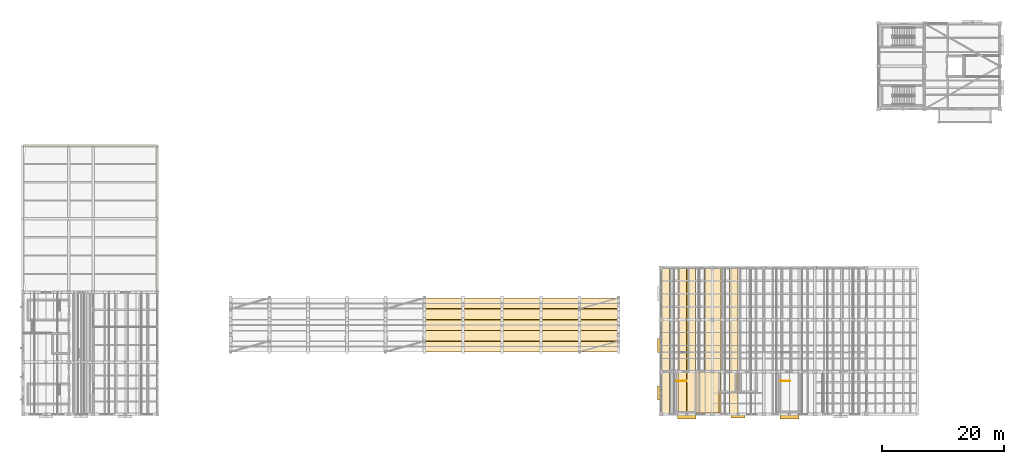
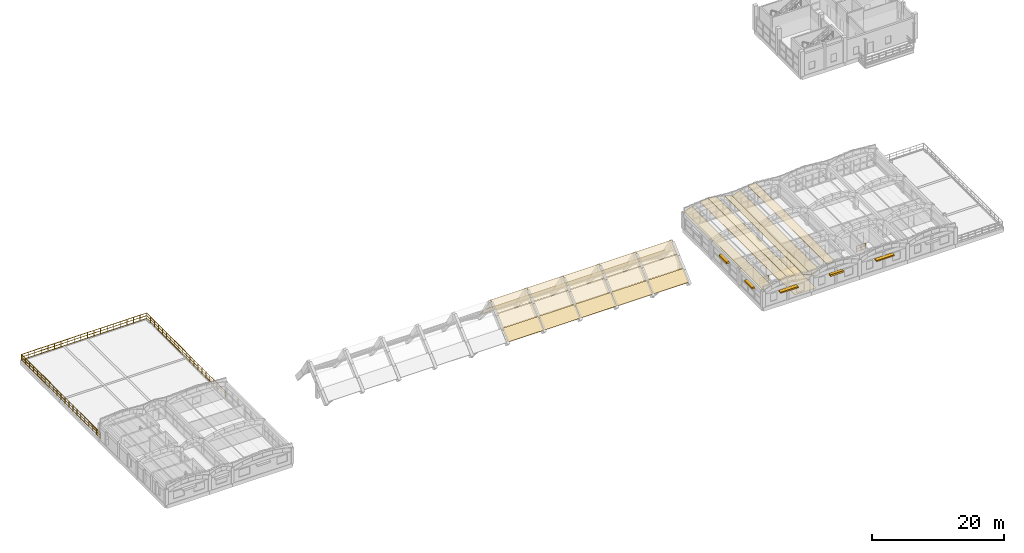
# One storey, part 38 of 40: 33 coverings, 5 shading devices, 3 railings.
"""IFC4 building model written with IfcOpenShell, lengths in metres."""

from ifc_helpers import new_model, si_unit, direction, frame, origin, origin_2d, place, context, subcontext, project, spatial, polyline, rectangle, circle, outline, extrude, material, layer, layer_set, type_object, element, save


model = new_model("IFC4")

# Units and contexts
model_context = context("Model", 3, precision=1e-05, world=origin(), true_north=direction((0.0, 1.0)))
body_context = subcontext(model_context, "Body", "Model", "MODEL_VIEW")
ifc_project = project(units=[si_unit("LENGTHUNIT", "METRE"), si_unit("AREAUNIT", "SQUARE_METRE"), si_unit("VOLUMEUNIT", "CUBIC_METRE"), si_unit("PLANEANGLEUNIT", "RADIAN"), si_unit("MASSUNIT", "GRAM", prefix="KILO")], contexts=[model_context])

# Site, building, storey
site_placement = place(None, origin())
site = spatial("IfcSite", under=ifc_project, at=site_placement, CompositionType="ELEMENT")
building_placement = place(site_placement, origin())
building = spatial("IfcBuilding", under=site, at=building_placement, Name="Trellovar Central Fire Station", CompositionType="ELEMENT")
storey_placement = place(building_placement, frame((0.0, 0.0, 12.75)))
storey = spatial("IfcBuildingStorey", under=building, at=storey_placement, Name="L04", CompositionType="ELEMENT", Elevation=12.75)

# Coverings
ifc_material_1 = material(Name="Perforated acoustic mineral fiber ceiling tile", Category="mineral")
ifc_layer_1 = layer(ifc_material_1, 0.02490234375)
ifc_layer_set_1 = layer_set([ifc_layer_1], Name="Perforated acoustic mineral fiber ceiling tile")
covering_type_1 = type_object("IfcCoveringType", Name="COV-CLG1", PredefinedType="CEILING", material=ifc_layer_set_1)
covering_1_placement = place(storey_placement, frame((0.0, 0.0, 2.3798828125)))
element("IfcCovering", 1, at=covering_1_placement, inside=storey, type_object=covering_type_1, Name="Arson Investigation Evidence Laboratory suspended ceiling", PredefinedType="CEILING", context=body_context, shape_type="SweptSolid", body=[
    extrude(outline(polyline([(114.949951171875, 15.89990234375), (114.949951171875, 9.25), (111.25, 9.25), (111.25, 15.89990234375), (114.949951171875, 15.89990234375)])), origin(), (0.0, 0.0, 1.0), 0.025146484375),
])
ifc_material_2 = material(Name="Vitrified Catalan ceramic floor tile", Category="masonry")
ifc_layer_2 = layer(ifc_material_2, 0.01806640625)
ifc_layer_set_2 = layer_set([ifc_layer_2], Name="Vitrified Catalan ceramic floor tile")
covering_type_2 = type_object("IfcCoveringType", Name="COV-FLR2", PredefinedType="FLOORING", material=ifc_layer_set_2)
covering_2_placement = place(storey_placement, origin())
element("IfcCovering", 2, at=covering_2_placement, inside=storey, type_object=covering_type_2, Name="Arson Investigation Evidence Laboratory floor finish", PredefinedType="FLOORING", context=body_context, shape_type="SweptSolid", body=[
    extrude(outline(polyline([(114.949951171875, 15.89990234375), (114.949951171875, 9.25), (111.25, 9.25), (111.25, 15.89990234375), (114.949951171875, 15.89990234375)])), origin(), (0.0, 0.0, 1.0), 0.01806640625),
])
ifc_material_3 = material(Name="Glazed ceramic trencadis roofing", Category="masonry")
ifc_layer_3 = layer(ifc_material_3, 0.06005859375)
ifc_layer_set_3 = layer_set([ifc_layer_3], Name="Glazed ceramic trencadis roofing")
covering_type_3 = type_object("IfcCoveringType", Name="COV-RF1", PredefinedType="ROOFING", material=ifc_layer_set_3)
covering_3_placement = place(storey_placement, frame((105.501953125, 9.0, 3.060791015625), z_axis=(-0.368797956889, 0.0, 0.929509584133), x_axis=(0.929509584133, 0.0, 0.368797956889)))
element("IfcCovering", 3, at=covering_3_placement, inside=storey, type_object=covering_type_3, Name="V5 glazed trencadis vault covering 01-01", PredefinedType="ROOFING", context=body_context, shape_type="SweptSolid", body=[
    extrude(outline(polyline([(0.0, 0.0), (1.4782240667069908, 0.0), (1.4782240667069908, 24.0), (0.0, 24.0), (0.0, 0.0)])), origin(), (0.0, 0.0, -1.0), 0.06005859375),
])
covering_4_placement = place(storey_placement, frame((108.302001953125, 9.0, 3.94921875), z_axis=(-0.079063877419, 0.0, 0.996869551791), x_axis=(0.996869551791, 0.0, 0.079063877419)))
element("IfcCovering", 4, at=covering_4_placement, inside=storey, type_object=covering_type_3, Name="V5 glazed trencadis vault covering 01-03", PredefinedType="ROOFING", context=body_context, shape_type="SweptSolid", body=[
    extrude(outline(polyline([(0.0, 0.0), (1.3957266719357477, 0.0), (1.3957266719357477, 23.999999999999996), (0.0, 23.999999999999996), (0.0, 0.0)])), origin(), (0.0, 0.0, -1.0), 0.06005859375),
])
covering_5_placement = place(storey_placement, frame((109.706787109375, 9.0, 4.0595703125), z_axis=(0.079077666382, 0.0, 0.996868458062), x_axis=(0.996868458062, 0.0, -0.079077666382)))
element("IfcCovering", 5, at=covering_5_placement, inside=storey, type_object=covering_type_3, Name="V5 glazed trencadis vault covering 01-04", PredefinedType="ROOFING", context=body_context, shape_type="SweptSolid", body=[
    extrude(outline(polyline([(0.0, 0.0), (1.3954832957138301, 0.0), (1.3954832957138301, 23.999999999999996), (0.0, 23.999999999999996), (0.0, 0.0)])), origin(), (0.0, 0.0, -1.0), 0.06005859375),
])
for number, where, z_axis, x_axis, name in (
    (6, (112.524169921875, 9.0, 3.60595703125), (0.368854581285, 0.0, 0.929487115492), (0.929487115492, 0.0, -0.368854581285), "V5 glazed trencadis vault covering 01-06"),
    (7, (113.902099609375, 9.0, 3.060791015625), (-0.368854581285, 0.0, 0.929487115492), (0.929487115492, 0.0, 0.368854581285), "V5 glazed trencadis vault covering 02-01"),
):
    element("IfcCovering", number, at=place(storey_placement, frame(where, z_axis=z_axis, x_axis=x_axis)), inside=storey, type_object=covering_type_3, Name=name, PredefinedType="ROOFING", context=body_context, shape_type="SweptSolid", body=[
        extrude(outline(polyline([(0.0, 0.0), (1.477997138398721, 0.0), (1.477997138398721, 24.0), (0.0, 24.0), (0.0, 0.0)])), origin(), (0.0, 0.0, -1.0), 0.06005859375),
    ])
covering_6_placement = place(storey_placement, frame((116.701904296875, 9.0, 3.94921875), z_axis=(-0.079063877419, 0.0, 0.996869551791), x_axis=(0.996869551791, 0.0, 0.079063877419)))
element("IfcCovering", 8, at=covering_6_placement, inside=storey, type_object=covering_type_3, Name="V5 glazed trencadis vault covering 02-03", PredefinedType="ROOFING", context=body_context, shape_type="SweptSolid", body=[
    extrude(outline(polyline([(0.0, 0.0), (1.3957266719357477, 0.0), (1.3957266719357477, 23.999999999999996), (0.0, 23.999999999999996), (0.0, 0.0)])), origin(), (0.0, 0.0, -1.0), 0.06005859375),
])
covering_7_placement = place(storey_placement, frame((66.75, 19.241943359375, 0.811767578125), z_axis=(0.0, -0.66774903709, 0.744386474531), x_axis=(1.0, 0.0, 0.0)))
element("IfcCovering", 9, at=covering_7_placement, inside=storey, type_object=covering_type_3, Name="Glazed trencadis vault covering V1-06-04", PredefinedType="ROOFING", context=body_context, shape_type="SweptSolid", body=[
    extrude(outline(polyline([(0.0, 0.0), (6.35009765625, 0.0), (6.35009765625, 2.2873020628460576), (0.0, 2.2873020628460576), (0.0, 0.0)])), origin(), (0.0, 0.0, -1.0), 0.06005859375),
])
covering_8_placement = place(storey_placement, frame((66.75, 20.98876953125, 2.37841796875), z_axis=(0.0, -0.66774294701, 0.74439193757), x_axis=(1.0, 0.0, 0.0)))
element("IfcCovering", 10, at=covering_8_placement, inside=storey, type_object=covering_type_3, Name="Glazed trencadis vault covering V1-06-05", PredefinedType="ROOFING", context=body_context, shape_type="SweptSolid", body=[
    extrude(outline(polyline([(0.0, 0.0), (6.35009765625, 0.0), (6.35009765625, 2.2869573032762025), (0.0, 2.2869573032762025), (0.0, 0.0)])), origin(), (0.0, 0.0, -1.0), 0.06005859375),
])
covering_9_placement = place(storey_placement, frame((66.75, 22.7353515625, 3.945068359375), z_axis=(0.0, -0.66774903709, 0.744386474531), x_axis=(1.0, 0.0, 0.0)))
element("IfcCovering", 11, at=covering_9_placement, inside=storey, type_object=covering_type_3, Name="Glazed trencadis vault covering V1-06-06", PredefinedType="ROOFING", context=body_context, shape_type="SweptSolid", body=[
    extrude(outline(polyline([(0.0, 0.0), (6.35009765625, 0.0), (6.35009765625, 2.2873020628460576), (0.0, 2.2873020628460576), (0.0, 0.0)])), origin(), (0.0, 0.0, -1.0), 0.06005859375),
])
covering_10_placement = place(storey_placement, frame((66.75, 24.53271484375, 5.427001953125), z_axis=(0.0, 0.844675204388, 0.535279178646), x_axis=(1.0, 0.0, 0.0)))
element("IfcCovering", 12, at=covering_10_placement, inside=storey, type_object=covering_type_3, Name="Glazed trencadis vault covering V1-06-07", PredefinedType="ROOFING", context=body_context, shape_type="SweptSolid", body=[
    extrude(outline(polyline([(0.0, 0.0), (6.35009765625, 0.0), (6.35009765625, 3.247885327843542), (0.0, 3.247885327843542), (0.0, 0.0)])), origin(), (0.0, 0.0, -1.0), 0.06005859375),
])
covering_11_placement = place(storey_placement, frame((66.75, 26.321533203125, 2.622314453125), z_axis=(0.0, 0.769830803737, 0.63824801889), x_axis=(1.0, 0.0, 0.0)))
element("IfcCovering", 13, at=covering_11_placement, inside=storey, type_object=covering_type_3, Name="Glazed trencadis vault covering V1-06-08", PredefinedType="ROOFING", context=body_context, shape_type="SweptSolid", body=[
    extrude(outline(polyline([(0.0, 0.0), (6.35009765625, 0.0), (6.35009765625, 2.73117034586455), (0.0, 2.73117034586455), (0.0, 0.0)])), origin(), (0.0, 0.0, -1.0), 0.06005859375),
])
covering_12_placement = place(storey_placement, frame((73.10009765625, 19.241943359375, 0.811767578125), z_axis=(0.0, -0.66774903709, 0.744386474531), x_axis=(1.0, 0.0, 0.0)))
element("IfcCovering", 14, at=covering_12_placement, inside=storey, type_object=covering_type_3, Name="Glazed trencadis vault covering V1-07-04", PredefinedType="ROOFING", context=body_context, shape_type="SweptSolid", body=[
    extrude(outline(polyline([(0.0, 0.0), (6.349853515625, 0.0), (6.349853515625, 2.2873020628460576), (0.0, 2.2873020628460576), (0.0, 0.0)])), origin(), (0.0, 0.0, -1.0), 0.06005859375),
])
covering_13_placement = place(storey_placement, frame((73.10009765625, 20.98876953125, 2.37841796875), z_axis=(0.0, -0.66774294701, 0.74439193757), x_axis=(1.0, 0.0, 0.0)))
element("IfcCovering", 15, at=covering_13_placement, inside=storey, type_object=covering_type_3, Name="Glazed trencadis vault covering V1-07-05", PredefinedType="ROOFING", context=body_context, shape_type="SweptSolid", body=[
    extrude(outline(polyline([(0.0, 0.0), (6.349853515625, 0.0), (6.349853515625, 2.286957303276203), (0.0, 2.286957303276203), (0.0, 0.0)])), origin(), (0.0, 0.0, -1.0), 0.06005859375),
])
covering_14_placement = place(storey_placement, frame((73.10009765625, 22.7353515625, 3.945068359375), z_axis=(0.0, -0.66774903709, 0.744386474531), x_axis=(1.0, 0.0, 0.0)))
element("IfcCovering", 16, at=covering_14_placement, inside=storey, type_object=covering_type_3, Name="Glazed trencadis vault covering V1-07-06", PredefinedType="ROOFING", context=body_context, shape_type="SweptSolid", body=[
    extrude(outline(polyline([(0.0, 0.0), (6.349853515625, 0.0), (6.349853515625, 2.2873020628460576), (0.0, 2.2873020628460576), (0.0, 0.0)])), origin(), (0.0, 0.0, -1.0), 0.06005859375),
])
covering_15_placement = place(storey_placement, frame((73.10009765625, 24.53271484375, 5.427001953125), z_axis=(0.0, 0.844675204388, 0.535279178646), x_axis=(1.0, 0.0, 0.0)))
element("IfcCovering", 17, at=covering_15_placement, inside=storey, type_object=covering_type_3, Name="Glazed trencadis vault covering V1-07-07", PredefinedType="ROOFING", context=body_context, shape_type="SweptSolid", body=[
    extrude(outline(polyline([(0.0, 0.0), (6.349853515625, 0.0), (6.349853515625, 3.247885327843542), (0.0, 3.247885327843542), (0.0, 0.0)])), origin(), (0.0, 0.0, -1.0), 0.06005859375),
])
covering_16_placement = place(storey_placement, frame((73.10009765625, 26.321533203125, 2.622314453125), z_axis=(0.0, 0.769830803737, 0.63824801889), x_axis=(1.0, 0.0, 0.0)))
element("IfcCovering", 18, at=covering_16_placement, inside=storey, type_object=covering_type_3, Name="Glazed trencadis vault covering V1-07-08", PredefinedType="ROOFING", context=body_context, shape_type="SweptSolid", body=[
    extrude(outline(polyline([(0.0, 0.0), (6.349853515625, 0.0), (6.349853515625, 2.7311703458645495), (0.0, 2.7311703458645495), (0.0, 0.0)])), origin(), (0.0, 0.0, -1.0), 0.06005859375),
])
covering_17_placement = place(storey_placement, frame((79.449951171875, 19.241943359375, 0.811767578125), z_axis=(0.0, -0.66774903709, 0.744386474531), x_axis=(1.0, 0.0, 0.0)))
element("IfcCovering", 19, at=covering_17_placement, inside=storey, type_object=covering_type_3, Name="Glazed trencadis vault covering V1-08-04", PredefinedType="ROOFING", context=body_context, shape_type="SweptSolid", body=[
    extrude(outline(polyline([(0.0, 0.0), (6.35009765625, 0.0), (6.35009765625, 2.2873020628460576), (0.0, 2.2873020628460576), (0.0, 0.0)])), origin(), (0.0, 0.0, -1.0), 0.06005859375),
])
covering_18_placement = place(storey_placement, frame((79.449951171875, 20.98876953125, 2.37841796875), z_axis=(0.0, -0.66774294701, 0.74439193757), x_axis=(1.0, 0.0, 0.0)))
element("IfcCovering", 20, at=covering_18_placement, inside=storey, type_object=covering_type_3, Name="Glazed trencadis vault covering V1-08-05", PredefinedType="ROOFING", context=body_context, shape_type="SweptSolid", body=[
    extrude(outline(polyline([(0.0, 0.0), (6.35009765625, 0.0), (6.35009765625, 2.2869573032762025), (0.0, 2.2869573032762025), (0.0, 0.0)])), origin(), (0.0, 0.0, -1.0), 0.06005859375),
])
covering_19_placement = place(storey_placement, frame((79.449951171875, 22.7353515625, 3.945068359375), z_axis=(0.0, -0.66774903709, 0.744386474531), x_axis=(1.0, 0.0, 0.0)))
element("IfcCovering", 21, at=covering_19_placement, inside=storey, type_object=covering_type_3, Name="Glazed trencadis vault covering V1-08-06", PredefinedType="ROOFING", context=body_context, shape_type="SweptSolid", body=[
    extrude(outline(polyline([(0.0, 0.0), (6.35009765625, 0.0), (6.35009765625, 2.2873020628460576), (0.0, 2.2873020628460576), (0.0, 0.0)])), origin(), (0.0, 0.0, -1.0), 0.06005859375),
])
covering_20_placement = place(storey_placement, frame((79.449951171875, 24.53271484375, 5.427001953125), z_axis=(0.0, 0.844675204388, 0.535279178646), x_axis=(1.0, 0.0, 0.0)))
element("IfcCovering", 22, at=covering_20_placement, inside=storey, type_object=covering_type_3, Name="Glazed trencadis vault covering V1-08-07", PredefinedType="ROOFING", context=body_context, shape_type="SweptSolid", body=[
    extrude(outline(polyline([(0.0, 0.0), (6.35009765625, 0.0), (6.35009765625, 3.247885327843542), (0.0, 3.247885327843542), (0.0, 0.0)])), origin(), (0.0, 0.0, -1.0), 0.06005859375),
])
covering_21_placement = place(storey_placement, frame((79.449951171875, 26.321533203125, 2.622314453125), z_axis=(0.0, 0.769830803737, 0.63824801889), x_axis=(1.0, 0.0, 0.0)))
element("IfcCovering", 23, at=covering_21_placement, inside=storey, type_object=covering_type_3, Name="Glazed trencadis vault covering V1-08-08", PredefinedType="ROOFING", context=body_context, shape_type="SweptSolid", body=[
    extrude(outline(polyline([(0.0, 0.0), (6.35009765625, 0.0), (6.35009765625, 2.73117034586455), (0.0, 2.73117034586455), (0.0, 0.0)])), origin(), (0.0, 0.0, -1.0), 0.06005859375),
])
covering_22_placement = place(storey_placement, frame((85.800048828125, 19.241943359375, 0.811767578125), z_axis=(0.0, -0.66774903709, 0.744386474531), x_axis=(1.0, 0.0, 0.0)))
element("IfcCovering", 24, at=covering_22_placement, inside=storey, type_object=covering_type_3, Name="Glazed trencadis vault covering V1-09-04", PredefinedType="ROOFING", context=body_context, shape_type="SweptSolid", body=[
    extrude(outline(polyline([(0.0, 0.0), (6.349853515625, 0.0), (6.349853515625, 2.2873020628460576), (0.0, 2.2873020628460576), (0.0, 0.0)])), origin(), (0.0, 0.0, -1.0), 0.06005859375),
])
covering_23_placement = place(storey_placement, frame((85.800048828125, 20.98876953125, 2.37841796875), z_axis=(0.0, -0.66774294701, 0.74439193757), x_axis=(1.0, 0.0, 0.0)))
element("IfcCovering", 25, at=covering_23_placement, inside=storey, type_object=covering_type_3, Name="Glazed trencadis vault covering V1-09-05", PredefinedType="ROOFING", context=body_context, shape_type="SweptSolid", body=[
    extrude(outline(polyline([(0.0, 0.0), (6.349853515625, 0.0), (6.349853515625, 2.286957303276203), (0.0, 2.286957303276203), (0.0, 0.0)])), origin(), (0.0, 0.0, -1.0), 0.06005859375),
])
covering_24_placement = place(storey_placement, frame((85.800048828125, 22.7353515625, 3.945068359375), z_axis=(0.0, -0.66774903709, 0.744386474531), x_axis=(1.0, 0.0, 0.0)))
element("IfcCovering", 26, at=covering_24_placement, inside=storey, type_object=covering_type_3, Name="Glazed trencadis vault covering V1-09-06", PredefinedType="ROOFING", context=body_context, shape_type="SweptSolid", body=[
    extrude(outline(polyline([(0.0, 0.0), (6.349853515625, 0.0), (6.349853515625, 2.2873020628460576), (0.0, 2.2873020628460576), (0.0, 0.0)])), origin(), (0.0, 0.0, -1.0), 0.06005859375),
])
covering_25_placement = place(storey_placement, frame((85.800048828125, 24.53271484375, 5.427001953125), z_axis=(0.0, 0.844675204388, 0.535279178646), x_axis=(1.0, 0.0, 0.0)))
element("IfcCovering", 27, at=covering_25_placement, inside=storey, type_object=covering_type_3, Name="Glazed trencadis vault covering V1-09-07", PredefinedType="ROOFING", context=body_context, shape_type="SweptSolid", body=[
    extrude(outline(polyline([(0.0, 0.0), (6.349853515625, 0.0), (6.349853515625, 3.247885327843542), (0.0, 3.247885327843542), (0.0, 0.0)])), origin(), (0.0, 0.0, -1.0), 0.06005859375),
])
covering_26_placement = place(storey_placement, frame((85.800048828125, 26.321533203125, 2.622314453125), z_axis=(0.0, 0.769830803737, 0.63824801889), x_axis=(1.0, 0.0, 0.0)))
element("IfcCovering", 28, at=covering_26_placement, inside=storey, type_object=covering_type_3, Name="Glazed trencadis vault covering V1-09-08", PredefinedType="ROOFING", context=body_context, shape_type="SweptSolid", body=[
    extrude(outline(polyline([(0.0, 0.0), (6.349853515625, 0.0), (6.349853515625, 2.7311703458645495), (0.0, 2.7311703458645495), (0.0, 0.0)])), origin(), (0.0, 0.0, -1.0), 0.06005859375),
])
covering_27_placement = place(storey_placement, frame((92.14990234375, 19.241943359375, 0.811767578125), z_axis=(0.0, -0.66774903709, 0.744386474531), x_axis=(1.0, 0.0, 0.0)))
element("IfcCovering", 29, at=covering_27_placement, inside=storey, type_object=covering_type_3, Name="Glazed trencadis vault covering V1-10-04", PredefinedType="ROOFING", context=body_context, shape_type="SweptSolid", body=[
    extrude(outline(polyline([(0.0, 0.0), (6.35009765625, 0.0), (6.35009765625, 2.2873020628460576), (0.0, 2.2873020628460576), (0.0, 0.0)])), origin(), (0.0, 0.0, -1.0), 0.06005859375),
])
covering_28_placement = place(storey_placement, frame((92.14990234375, 20.98876953125, 2.37841796875), z_axis=(0.0, -0.66774294701, 0.74439193757), x_axis=(1.0, 0.0, 0.0)))
element("IfcCovering", 30, at=covering_28_placement, inside=storey, type_object=covering_type_3, Name="Glazed trencadis vault covering V1-10-05", PredefinedType="ROOFING", context=body_context, shape_type="SweptSolid", body=[
    extrude(outline(polyline([(0.0, 0.0), (6.35009765625, 0.0), (6.35009765625, 2.2869573032762025), (0.0, 2.2869573032762025), (0.0, 0.0)])), origin(), (0.0, 0.0, -1.0), 0.06005859375),
])
covering_29_placement = place(storey_placement, frame((92.14990234375, 22.7353515625, 3.945068359375), z_axis=(0.0, -0.66774903709, 0.744386474531), x_axis=(1.0, 0.0, 0.0)))
element("IfcCovering", 31, at=covering_29_placement, inside=storey, type_object=covering_type_3, Name="Glazed trencadis vault covering V1-10-06", PredefinedType="ROOFING", context=body_context, shape_type="SweptSolid", body=[
    extrude(outline(polyline([(0.0, 0.0), (6.35009765625, 0.0), (6.35009765625, 2.2873020628460576), (0.0, 2.2873020628460576), (0.0, 0.0)])), origin(), (0.0, 0.0, -1.0), 0.06005859375),
])
covering_30_placement = place(storey_placement, frame((92.14990234375, 24.53271484375, 5.427001953125), z_axis=(0.0, 0.844675204388, 0.535279178646), x_axis=(1.0, 0.0, 0.0)))
element("IfcCovering", 32, at=covering_30_placement, inside=storey, type_object=covering_type_3, Name="Glazed trencadis vault covering V1-10-07", PredefinedType="ROOFING", context=body_context, shape_type="SweptSolid", body=[
    extrude(outline(polyline([(0.0, 0.0), (6.35009765625, 0.0), (6.35009765625, 3.247885327843542), (0.0, 3.247885327843542), (0.0, 0.0)])), origin(), (0.0, 0.0, -1.0), 0.06005859375),
])
covering_31_placement = place(storey_placement, frame((92.14990234375, 26.321533203125, 2.622314453125), z_axis=(0.0, 0.769830803737, 0.63824801889), x_axis=(1.0, 0.0, 0.0)))
element("IfcCovering", 33, at=covering_31_placement, inside=storey, type_object=covering_type_3, Name="Glazed trencadis vault covering V1-10-08", PredefinedType="ROOFING", context=body_context, shape_type="SweptSolid", body=[
    extrude(outline(polyline([(0.0, 0.0), (6.35009765625, 0.0), (6.35009765625, 2.73117034586455), (0.0, 2.73117034586455), (0.0, 0.0)])), origin(), (0.0, 0.0, -1.0), 0.06005859375),
])

# Railings
ifc_material_4 = material(Name="Patina bronze wrought metalwork", Category="metal")
ifc_layer_4 = layer(ifc_material_4, 0.06005859375)
ifc_layer_set_4 = layer_set([ifc_layer_4], Name="Patina bronze wrought metalwork")
railing_type_1 = type_object("IfcRailingType", Name="RL-GUARD1", PredefinedType="GUARDRAIL", material=ifc_layer_set_4)
railing_placement = place(storey_placement, frame((1.050048828125, 29.0, 0.0)))
element("IfcRailing", 34, at=railing_placement, inside=storey, type_object=railing_type_1, Name="V4 L04 terrace guardrail", PredefinedType="GUARDRAIL", context=body_context, shape_type="SweptSolid", body=[
    extrude(circle(Radius=0.02392578125, at=origin_2d()), frame((0.0, 0.0, 1.09619140625), z_axis=(0.0, 1.0, 0.0), x_axis=(-1.0, 0.0, 0.0)), (0.0, 0.0, 1.0), 23.949951171875),
    extrude(circle(Radius=0.015625, at=origin_2d()), frame((0.0, 0.0, 0.10009765625), z_axis=(0.0, 1.0, 0.0), x_axis=(-1.0, 0.0, 0.0)), (0.0, 0.0, 1.0), 23.949951171875),
    extrude(circle(Radius=0.015625, at=origin_2d()), frame((0.0, 0.0, 0.615966796875), z_axis=(0.0, 1.0, 0.0), x_axis=(-1.0, 0.0, 0.0)), (0.0, 0.0, 1.0), 23.949951171875),
    extrude(circle(Radius=0.02392578125, at=origin_2d()), frame((0.0, 23.949951171875, 1.09619140625), z_axis=(1.0, 0.0, 0.0), x_axis=(0.0, 1.0, 0.0)), (0.0, 0.0, 1.0), 21.89990234375),
    extrude(circle(Radius=0.015625, at=origin_2d()), frame((0.0, 23.949951171875, 0.10009765625), z_axis=(1.0, 0.0, 0.0), x_axis=(0.0, 1.0, 0.0)), (0.0, 0.0, 1.0), 21.89990234375),
    extrude(circle(Radius=0.015625, at=origin_2d()), frame((0.0, 23.949951171875, 0.615966796875), z_axis=(1.0, 0.0, 0.0), x_axis=(0.0, 1.0, 0.0)), (0.0, 0.0, 1.0), 21.89990234375),
    extrude(circle(Radius=0.02392578125, at=origin_2d()), frame((21.89990234375, 23.949951171875, 1.09619140625), z_axis=(0.0, -1.0, 0.0), x_axis=(1.0, 0.0, 0.0)), (0.0, 0.0, 1.0), 23.949951171875),
    extrude(circle(Radius=0.015625, at=origin_2d()), frame((21.89990234375, 23.949951171875, 0.10009765625), z_axis=(0.0, -1.0, 0.0), x_axis=(1.0, 0.0, 0.0)), (0.0, 0.0, 1.0), 23.949951171875),
    extrude(circle(Radius=0.015625, at=origin_2d()), frame((21.89990234375, 23.949951171875, 0.615966796875), z_axis=(0.0, -1.0, 0.0), x_axis=(1.0, 0.0, 0.0)), (0.0, 0.0, 1.0), 23.949951171875),
    extrude(circle(Radius=0.02099609375, at=origin_2d()), origin(), (0.0, 0.0, 1.0), 1.072021484375),
    extrude(circle(Radius=0.02099609375, at=origin_2d()), frame((0.0, 1.197509765625, 0.0)), (0.0, 0.0, 1.0), 1.072021484375),
    extrude(circle(Radius=0.02099609375, at=origin_2d()), frame((0.0, 2.39501953125, 0.0)), (0.0, 0.0, 1.0), 1.072021484375),
    extrude(circle(Radius=0.02099609375, at=origin_2d()), frame((0.0, 3.592529296875, 0.0)), (0.0, 0.0, 1.0), 1.072021484375),
    extrude(circle(Radius=0.02099609375, at=origin_2d()), frame((0.0, 4.7900390625, 0.0)), (0.0, 0.0, 1.0), 1.072021484375),
    extrude(circle(Radius=0.02099609375, at=origin_2d()), frame((0.0, 5.987548828125, 0.0)), (0.0, 0.0, 1.0), 1.072021484375),
    extrude(circle(Radius=0.02099609375, at=origin_2d()), frame((0.0, 7.18505859375, 0.0)), (0.0, 0.0, 1.0), 1.072021484375),
    extrude(circle(Radius=0.02099609375, at=origin_2d()), frame((0.0, 8.382568359375, 0.0)), (0.0, 0.0, 1.0), 1.072021484375),
    extrude(circle(Radius=0.02099609375, at=origin_2d()), frame((0.0, 9.580078125, 0.0)), (0.0, 0.0, 1.0), 1.072021484375),
    extrude(circle(Radius=0.02099609375, at=origin_2d()), frame((0.0, 10.777587890625, 0.0)), (0.0, 0.0, 1.0), 1.072021484375),
    extrude(circle(Radius=0.02099609375, at=origin_2d()), frame((0.0, 11.97509765625, 0.0)), (0.0, 0.0, 1.0), 1.072021484375),
    extrude(circle(Radius=0.02099609375, at=origin_2d()), frame((0.0, 13.17236328125, 0.0)), (0.0, 0.0, 1.0), 1.072021484375),
    extrude(circle(Radius=0.02099609375, at=origin_2d()), frame((0.0, 14.369873046875, 0.0)), (0.0, 0.0, 1.0), 1.072021484375),
    extrude(circle(Radius=0.02099609375, at=origin_2d()), frame((0.0, 15.5673828125, 0.0)), (0.0, 0.0, 1.0), 1.072021484375),
    extrude(circle(Radius=0.02099609375, at=origin_2d()), frame((0.0, 16.764892578125, 0.0)), (0.0, 0.0, 1.0), 1.072021484375),
    extrude(circle(Radius=0.02099609375, at=origin_2d()), frame((0.0, 17.96240234375, 0.0)), (0.0, 0.0, 1.0), 1.072021484375),
    extrude(circle(Radius=0.02099609375, at=origin_2d()), frame((0.0, 19.159912109375, 0.0)), (0.0, 0.0, 1.0), 1.072021484375),
    extrude(circle(Radius=0.02099609375, at=origin_2d()), frame((0.0, 20.357421875, 0.0)), (0.0, 0.0, 1.0), 1.072021484375),
    extrude(circle(Radius=0.02099609375, at=origin_2d()), frame((0.0, 21.554931640625, 0.0)), (0.0, 0.0, 1.0), 1.072021484375),
    extrude(circle(Radius=0.02099609375, at=origin_2d()), frame((0.0, 22.75244140625, 0.0)), (0.0, 0.0, 1.0), 1.072021484375),
    extrude(circle(Radius=0.02099609375, at=origin_2d()), frame((0.0, 23.949951171875, 0.0)), (0.0, 0.0, 1.0), 1.072021484375),
    extrude(circle(Radius=0.02099609375, at=origin_2d()), frame((1.152587890625, 23.949951171875, 0.0)), (0.0, 0.0, 1.0), 1.072021484375),
    extrude(circle(Radius=0.02099609375, at=origin_2d()), frame((2.30517578125, 23.949951171875, 0.0)), (0.0, 0.0, 1.0), 1.072021484375),
    extrude(circle(Radius=0.02099609375, at=origin_2d()), frame((3.457763671875, 23.949951171875, 0.0)), (0.0, 0.0, 1.0), 1.072021484375),
    extrude(circle(Radius=0.02099609375, at=origin_2d()), frame((4.610595703125, 23.949951171875, 0.0)), (0.0, 0.0, 1.0), 1.072021484375),
    extrude(circle(Radius=0.02099609375, at=origin_2d()), frame((5.76318359375, 23.949951171875, 0.0)), (0.0, 0.0, 1.0), 1.072021484375),
    extrude(circle(Radius=0.02099609375, at=origin_2d()), frame((6.915771484375, 23.949951171875, 0.0)), (0.0, 0.0, 1.0), 1.072021484375),
    extrude(circle(Radius=0.02099609375, at=origin_2d()), frame((8.068359375, 23.949951171875, 0.0)), (0.0, 0.0, 1.0), 1.072021484375),
    extrude(circle(Radius=0.02099609375, at=origin_2d()), frame((9.220947265625, 23.949951171875, 0.0)), (0.0, 0.0, 1.0), 1.072021484375),
    extrude(circle(Radius=0.02099609375, at=origin_2d()), frame((10.37353515625, 23.949951171875, 0.0)), (0.0, 0.0, 1.0), 1.072021484375),
    extrude(circle(Radius=0.02099609375, at=origin_2d()), frame((11.5263671875, 23.949951171875, 0.0)), (0.0, 0.0, 1.0), 1.072021484375),
    extrude(circle(Radius=0.02099609375, at=origin_2d()), frame((12.678955078125, 23.949951171875, 0.0)), (0.0, 0.0, 1.0), 1.072021484375),
    extrude(circle(Radius=0.02099609375, at=origin_2d()), frame((13.83154296875, 23.949951171875, 0.0)), (0.0, 0.0, 1.0), 1.072021484375),
    extrude(circle(Radius=0.02099609375, at=origin_2d()), frame((14.984130859375, 23.949951171875, 0.0)), (0.0, 0.0, 1.0), 1.072021484375),
    extrude(circle(Radius=0.02099609375, at=origin_2d()), frame((16.13671875, 23.949951171875, 0.0)), (0.0, 0.0, 1.0), 1.072021484375),
    extrude(circle(Radius=0.02099609375, at=origin_2d()), frame((17.289306640625, 23.949951171875, 0.0)), (0.0, 0.0, 1.0), 1.072021484375),
    extrude(circle(Radius=0.02099609375, at=origin_2d()), frame((18.442138671875, 23.949951171875, 0.0)), (0.0, 0.0, 1.0), 1.072021484375),
    extrude(circle(Radius=0.02099609375, at=origin_2d()), frame((19.5947265625, 23.949951171875, 0.0)), (0.0, 0.0, 1.0), 1.072021484375),
    extrude(circle(Radius=0.02099609375, at=origin_2d()), frame((20.747314453125, 23.949951171875, 0.0)), (0.0, 0.0, 1.0), 1.072021484375),
    extrude(circle(Radius=0.02099609375, at=origin_2d()), frame((21.89990234375, 23.949951171875, 0.0)), (0.0, 0.0, 1.0), 1.072021484375),
    extrude(circle(Radius=0.02099609375, at=origin_2d()), frame((21.89990234375, 22.75244140625, 0.0)), (0.0, 0.0, 1.0), 1.072021484375),
    extrude(circle(Radius=0.02099609375, at=origin_2d()), frame((21.89990234375, 21.554931640625, 0.0)), (0.0, 0.0, 1.0), 1.072021484375),
    extrude(circle(Radius=0.02099609375, at=origin_2d()), frame((21.89990234375, 20.357421875, 0.0)), (0.0, 0.0, 1.0), 1.072021484375),
    extrude(circle(Radius=0.02099609375, at=origin_2d()), frame((21.89990234375, 19.159912109375, 0.0)), (0.0, 0.0, 1.0), 1.072021484375),
    extrude(circle(Radius=0.02099609375, at=origin_2d()), frame((21.89990234375, 17.96240234375, 0.0)), (0.0, 0.0, 1.0), 1.072021484375),
    extrude(circle(Radius=0.02099609375, at=origin_2d()), frame((21.89990234375, 16.764892578125, 0.0)), (0.0, 0.0, 1.0), 1.072021484375),
    extrude(circle(Radius=0.02099609375, at=origin_2d()), frame((21.89990234375, 15.5673828125, 0.0)), (0.0, 0.0, 1.0), 1.072021484375),
    extrude(circle(Radius=0.02099609375, at=origin_2d()), frame((21.89990234375, 14.369873046875, 0.0)), (0.0, 0.0, 1.0), 1.072021484375),
    extrude(circle(Radius=0.02099609375, at=origin_2d()), frame((21.89990234375, 13.17236328125, 0.0)), (0.0, 0.0, 1.0), 1.072021484375),
    extrude(circle(Radius=0.02099609375, at=origin_2d()), frame((21.89990234375, 11.97509765625, 0.0)), (0.0, 0.0, 1.0), 1.072021484375),
    extrude(circle(Radius=0.02099609375, at=origin_2d()), frame((21.89990234375, 10.777587890625, 0.0)), (0.0, 0.0, 1.0), 1.072021484375),
    extrude(circle(Radius=0.02099609375, at=origin_2d()), frame((21.89990234375, 9.580078125, 0.0)), (0.0, 0.0, 1.0), 1.072021484375),
    extrude(circle(Radius=0.02099609375, at=origin_2d()), frame((21.89990234375, 8.382568359375, 0.0)), (0.0, 0.0, 1.0), 1.072021484375),
    extrude(circle(Radius=0.02099609375, at=origin_2d()), frame((21.89990234375, 7.18505859375, 0.0)), (0.0, 0.0, 1.0), 1.072021484375),
    extrude(circle(Radius=0.02099609375, at=origin_2d()), frame((21.89990234375, 5.987548828125, 0.0)), (0.0, 0.0, 1.0), 1.072021484375),
    extrude(circle(Radius=0.02099609375, at=origin_2d()), frame((21.89990234375, 4.7900390625, 0.0)), (0.0, 0.0, 1.0), 1.072021484375),
    extrude(circle(Radius=0.02099609375, at=origin_2d()), frame((21.89990234375, 3.592529296875, 0.0)), (0.0, 0.0, 1.0), 1.072021484375),
    extrude(circle(Radius=0.02099609375, at=origin_2d()), frame((21.89990234375, 2.39501953125, 0.0)), (0.0, 0.0, 1.0), 1.072021484375),
    extrude(circle(Radius=0.02099609375, at=origin_2d()), frame((21.89990234375, 1.197509765625, 0.0)), (0.0, 0.0, 1.0), 1.072021484375),
    extrude(circle(Radius=0.02099609375, at=origin_2d()), frame((21.89990234375, 0.0, 0.0)), (0.0, 0.0, 1.0), 1.072021484375),
])
ifc_material_5 = material(Name="Patina bronze wrought metalwork", Category="metal")
ifc_layer_5 = layer(ifc_material_5, 0.050048828125)
ifc_layer_set_5 = layer_set([ifc_layer_5], Name="Patina bronze wrought metalwork")
railing_type_2 = type_object("IfcRailingType", Name="RL-STGUARD", PredefinedType="GUARDRAIL", material=ifc_layer_set_5)
for number, where, name in (
    (35, (108.0, 14.449951171875, 0.0), "L04 ST-01 top well guard 1"),
    (36, (125.0, 14.449951171875, 0.0), "L04 ST-02 top well guard 1"),
):
    element("IfcRailing", number, at=place(storey_placement, frame(where)), inside=storey, type_object=railing_type_2, Name=name, PredefinedType="GUARDRAIL", context=body_context, shape_type="SweptSolid", body=[
        extrude(circle(Radius=0.02392578125, at=origin_2d()), frame((0.0, 0.0, 1.076171875), z_axis=(1.0, 0.0, 0.0), x_axis=(0.0, 1.0, 0.0)), (0.0, 0.0, 1.0), 1.60009765625),
        extrude(circle(Radius=0.015625, at=origin_2d()), frame((0.0, 0.0, 0.10009765625), z_axis=(1.0, 0.0, 0.0), x_axis=(0.0, 1.0, 0.0)), (0.0, 0.0, 1.0), 1.60009765625),
        extrude(circle(Radius=0.015625, at=origin_2d()), frame((0.0, 0.0, 0.60498046875), z_axis=(1.0, 0.0, 0.0), x_axis=(0.0, 1.0, 0.0)), (0.0, 0.0, 1.0), 1.60009765625),
        extrude(circle(Radius=0.02099609375, at=origin_2d()), origin(), (0.0, 0.0, 1.0), 1.052001953125),
        extrude(circle(Radius=0.02099609375, at=origin_2d()), frame((0.800048828125, 0.0, 0.0)), (0.0, 0.0, 1.0), 1.052001953125),
        extrude(circle(Radius=0.02099609375, at=origin_2d()), frame((1.60009765625, 0.0, 0.0)), (0.0, 0.0, 1.0), 1.052001953125),
    ])

# Shading devices
ifc_material_6 = material(Name="Glazed ceramic trencadis and terracotta panel", Category="masonry")
shading_device_type_1 = type_object("IfcShadingDeviceType", Name="SHD-LV1", PredefinedType="JALOUSIE", material=ifc_material_6)
for number, where, z_axis, x_axis, name in (
    (37, (118.10009765625, 8.614990234375, 1.93017578125), (0.0, 0.0, 1.0), (1.0, 0.0, 0.0), "L04 Catalan solar brise-soleil LV-1"),
    (38, (105.18505859375, 12.5, 1.97998046875), (0.0, 0.0, 1.0), (0.0, 1.0, 0.0), "L04 Catalan solar brise-soleil LV-1"),
    (39, (105.18505859375, 20.25, 1.97998046875), (0.0, 0.0, 1.0), (0.0, 1.0, 0.0), "L04 Catalan solar brise-soleil LV-1"),
):
    element("IfcShadingDevice", number, at=place(storey_placement, frame(where, z_axis=z_axis, x_axis=x_axis)), inside=storey, type_object=shading_device_type_1, Name=name, PredefinedType="JALOUSIE", context=body_context, shape_type="SweptSolid", body=[
        extrude(rectangle(XDim=2.300048828125, YDim=0.5, at=origin_2d()), origin(), (0.0, 0.0, 1.0), 0.340087890625),
    ])
ifc_material_7 = material(Name="Patina bronze wrought metalwork", Category="metal")
shading_device_type_2 = type_object("IfcShadingDeviceType", Name="SHD-LV4", PredefinedType="AWNING", material=ifc_material_7)
for number, where, z_axis, x_axis, name in (
    (40, (109.699951171875, 8.5400390625, 1.990234375), (0.0, 0.0, 1.0), (1.0, 0.0, 0.0), "L04 Catalan solar brise-soleil LV-4"),
    (41, (126.5, 8.5400390625, 1.990234375), (0.0, 0.0, 1.0), (1.0, 0.0, 0.0), "L04 Catalan solar brise-soleil LV-4"),
):
    element("IfcShadingDevice", number, at=place(storey_placement, frame(where, z_axis=z_axis, x_axis=x_axis)), inside=storey, type_object=shading_device_type_2, Name=name, PredefinedType="AWNING", context=body_context, shape_type="SweptSolid", body=[
        extrude(rectangle(XDim=3.10009765625, YDim=0.64990234375, at=origin_2d()), origin(), (0.0, 0.0, 1.0), 0.219970703125),
    ])

save(model, "model.ifc")
